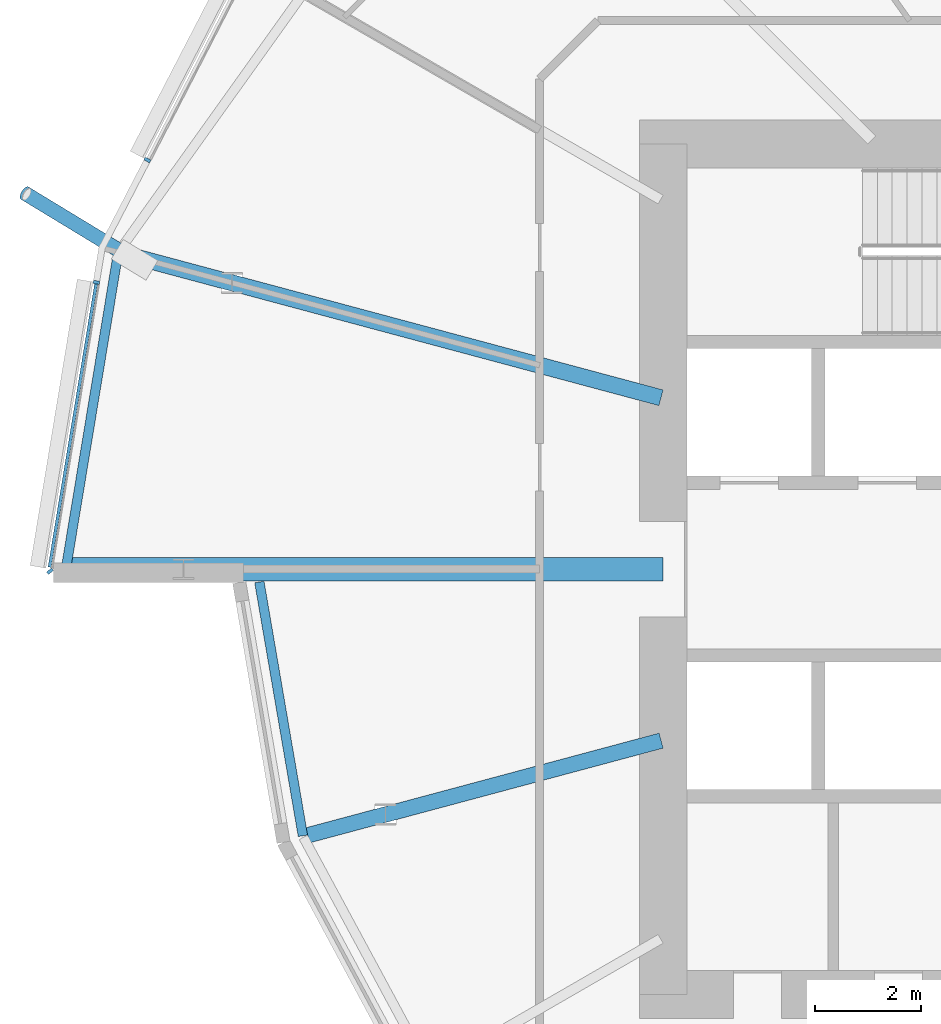
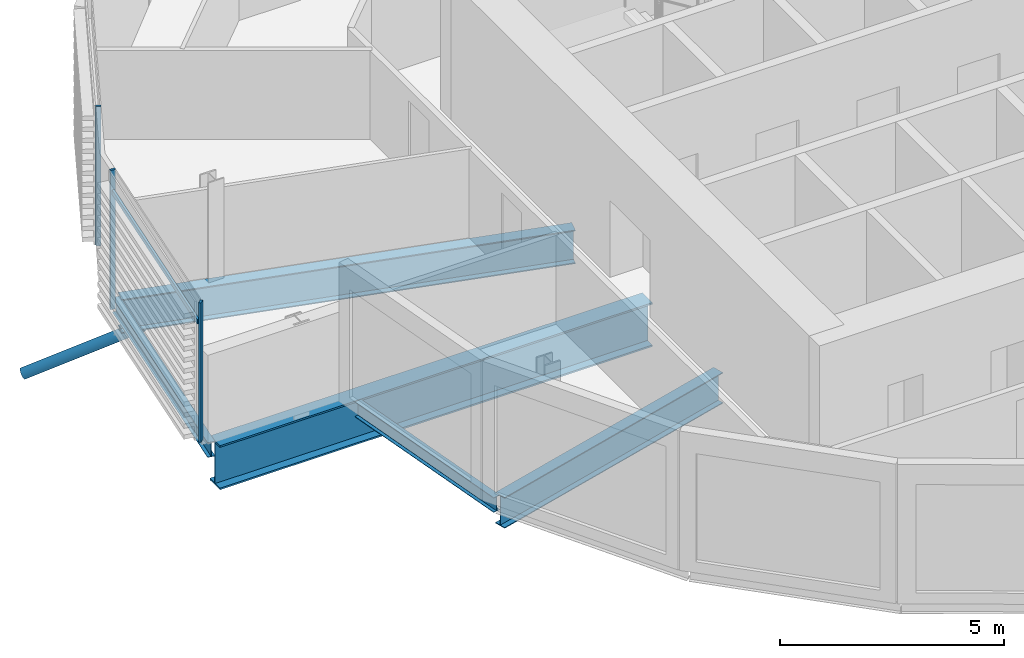
# One storey, part 5 of 38: 5 beams, 5 members, 1 element without a shape of its own.
"""IFC4 building model written with IfcOpenShell, lengths in metres."""

from ifc_helpers import new_model, si_unit, direction, frame, origin, origin_2d, place, context, subcontext, project, spatial, rectangle, hollow_circle, i_section, extrude, clip, halfspace, material, material_profile, profile_set, type_object, element, aggregate, save


model = new_model("IFC4")

# Units and contexts
model_context = context("Model", 3, precision=1e-05, world=origin(), true_north=direction((0.0, 1.0)))
body_context = subcontext(model_context, "Body", "Model", "MODEL_VIEW")
ifc_project = project(units=[si_unit("LENGTHUNIT", "METRE"), si_unit("AREAUNIT", "SQUARE_METRE"), si_unit("VOLUMEUNIT", "CUBIC_METRE"), si_unit("PLANEANGLEUNIT", "RADIAN"), si_unit("MASSUNIT", "GRAM", prefix="KILO")], contexts=[model_context])

# Site, building, storey
site_placement = place(None, origin())
site = spatial("IfcSite", under=ifc_project, at=site_placement, CompositionType="ELEMENT")
building_placement = place(site_placement, origin())
building = spatial("IfcBuilding", under=site, at=building_placement, Name="Rimbun Link Towers", CompositionType="ELEMENT")
storey_placement = place(building_placement, frame((0.0, 0.0, 68.0)))
storey = spatial("IfcBuildingStorey", under=building, at=storey_placement, Name="L16", CompositionType="ELEMENT", Elevation=68.0)

# Curtain wall, members
ifc_material_1 = material(Name="Aluminium 6063-T6 and low-iron glass", Category="aluminium")
curtain_wall_type = type_object("IfcCurtainWallType", Name="CW1 unitised vision wall", PredefinedType="NOTDEFINED", material=ifc_material_1)
curtain_wall_placement = place(storey_placement, origin())
curtain_wall = element("IfcCurtainWall", 1, at=curtain_wall_placement, inside=storey, type_object=curtain_wall_type, Name="CW1 L16 T1", PredefinedType="NOTDEFINED")
ifc_material_2 = material(Name="Aluminium 6063-T6", Category="aluminium")
ifc_material_profile_1 = material_profile(ifc_material_2, rectangle(XDim=0.1201171875, YDim=0.06005859375, at=origin_2d()), Name="MULLION 60X120")
ifc_profile_set_1 = profile_set([ifc_material_profile_1], Name="Aluminium 6063-T6")
member_type_1 = type_object("IfcMemberType", Name="CW1 mullion 60X120", PredefinedType="MULLION", material=ifc_profile_set_1)
member_1_placement = place(storey_placement, frame((-53.455810546875, 7.7001953125, 0.0), z_axis=(0.0, 0.0, 1.0), x_axis=(-0.888148629228, 0.45955632125, 0.0)))
member_1 = element("IfcMember", 2, at=member_1_placement, type_object=member_type_1, Name="CW1 mullion", PredefinedType="MULLION", context=body_context, shape_type="SweptSolid", body=[
    extrude(rectangle(XDim=0.1201171875, YDim=0.06005859375, at=origin_2d()), origin(), (0.0, 0.0, 1.0), 3.800048828125),
])
member_2_placement = place(storey_placement, frame((-55.2900390625, -0.038818359375, 0.0), z_axis=(0.0, 0.0, 1.0), x_axis=(-0.762318713614, -0.647201806915, 0.0)))
member_2 = element("IfcMember", 3, at=member_2_placement, type_object=member_type_1, Name="CW1 mullion", PredefinedType="MULLION", context=body_context, shape_type="SweptSolid", body=[
    extrude(rectangle(XDim=0.1201171875, YDim=0.06005859375, at=origin_2d()), origin(), (0.0, 0.0, 1.0), 3.800048828125),
])
member_3_placement = place(storey_placement, frame((-54.41748046875, 5.39794921875, 0.0), z_axis=(0.0, 0.0, 1.0), x_axis=(-0.986748097792, 0.162259642251, 0.0)))
member_3 = element("IfcMember", 4, at=member_3_placement, type_object=member_type_1, Name="CW1 mullion", PredefinedType="MULLION", context=body_context, shape_type="SweptSolid", body=[
    extrude(rectangle(XDim=0.1201171875, YDim=0.06005859375, at=origin_2d()), origin(), (0.0, 0.0, 1.0), 3.800048828125),
])
ifc_material_3 = material(Name="Aluminium 6063-T6", Category="aluminium")
ifc_material_profile_2 = material_profile(ifc_material_3, rectangle(XDim=0.06005859375, YDim=0.1201171875, at=origin_2d()), Name="TRANSOM 60X120")
ifc_profile_set_2 = profile_set([ifc_material_profile_2], Name="Aluminium 6063-T6")
member_type_2 = type_object("IfcMemberType", Name="CW1 transom 60X120", PredefinedType="USERDEFINED", material=ifc_profile_set_2)
member_4_placement = place(storey_placement, frame((-55.296630859375, 0.0390625, 3.199951171875), z_axis=(0.162250618428, 0.986749581616, 0.0), x_axis=(-0.986749581616, 0.162250618428, 0.0)))
member_4 = element("IfcMember", 5, at=member_4_placement, type_object=member_type_2, Name="CW1 transom", ObjectType="TRANSOM", PredefinedType="USERDEFINED", context=body_context, shape_type="SweptSolid", body=[
    extrude(rectangle(XDim=0.06005859375, YDim=0.1201171875, at=origin_2d()), origin(), (0.0, 0.0, 1.0), 5.400390625),
])
aggregate(curtain_wall, [member_1, member_2, member_3, member_4])

# Member
ifc_material_4 = material(Name="Steel S355J2H", Category="steel")
ifc_material_profile_3 = material_profile(ifc_material_4, hollow_circle(Radius=0.136474609375, WallThickness=0.012451171875, at=origin_2d()), Name="CHS 273x12.5")
ifc_profile_set_3 = profile_set([ifc_material_profile_3], Name="Steel S355J2H")
member_type_3 = type_object("IfcMemberType", Name="Floor edge link CHS 273x12.5", PredefinedType="BRACE", material=ifc_profile_set_3)
member_5_placement = place(storey_placement, frame((-53.8701171875, 5.927001953125, -1.199951171875), z_axis=(-0.763375162323, 0.463590145589, -0.44982500871), x_axis=(-0.519070060248, -0.854731696238, 0.0)))
element("IfcMember", 6, at=member_5_placement, inside=storey, type_object=member_type_3, Name="Floor edge link T1 L16 11", PredefinedType="BRACE", context=body_context, shape_type="Clipping", body=[
    clip(extrude(hollow_circle(Radius=0.136474609375, WallThickness=0.012451171875, at=origin_2d()), frame((0.0, 0.0, -0.564453125)), (0.0, 0.0, 1.0), 3.04736328125), halfspace(frame((0.0, 0.0, -0.265869140625), z_axis=(0.0, 0.89311671216, -0.44982500871)), False)),
])

# Beams
ifc_material_5 = material(Name="Steel S355J2", Category="steel")
ifc_material_profile_4 = material_profile(ifc_material_5, i_section(OverallWidth=0.449951171875, OverallDepth=1.199951171875, WebThickness=0.030029296875, FlangeThickness=0.044921875, at=origin_2d()), Name="PG 1200x450x30/45")
ifc_profile_set_4 = profile_set([ifc_material_profile_4], Name="Steel S355J2")
beam_type_1 = type_object("IfcBeamType", Name="PG 1200x450x30/45", PredefinedType="BEAM", material=ifc_profile_set_4)
beam_1_placement = place(storey_placement, frame((-43.7509765625, 0.0, -0.760009765625), z_axis=(-1.0, 0.0, 0.0), x_axis=(0.0, -1.0, 0.0)))
element("IfcBeam", 7, at=beam_1_placement, inside=storey, type_object=beam_type_1, Name="Radial beam T1 L16 12", PredefinedType="BEAM", context=body_context, shape_type="SweptSolid", body=[
    extrude(i_section(OverallWidth=0.449951171875, OverallDepth=1.199951171875, WebThickness=0.030029296875, FlangeThickness=0.044921875, at=origin_2d()), origin(), (0.0, 0.0, 1.0), 11.14892578125),
])
ifc_material_6 = material(Name="Steel S355J2", Category="steel")
ifc_material_profile_5 = material_profile(ifc_material_6, i_section(OverallWidth=0.177978515625, OverallDepth=0.406494140625, WebThickness=0.0078125, FlangeThickness=0.0126953125, at=origin_2d()), Name="UB 406x178x60")
ifc_profile_set_5 = profile_set([ifc_material_profile_5], Name="Steel S355J2")
beam_type_2 = type_object("IfcBeamType", Name="UB 406x178x60", PredefinedType="BEAM", material=ifc_profile_set_5)
beam_2_placement = place(storey_placement, frame((-54.005615234375, 5.96240234375, -0.36328125), z_axis=(-0.163035965688, -0.986620126438, 0.0), x_axis=(0.986620126438, -0.163035965688, 0.0)))
element("IfcBeam", 8, at=beam_2_placement, inside=storey, type_object=beam_type_2, Name="Edge beam T1 L16 11", PredefinedType="BEAM", context=body_context, shape_type="SweptSolid", body=[
    extrude(i_section(OverallWidth=0.177978515625, OverallDepth=0.406494140625, WebThickness=0.0078125, FlangeThickness=0.0126953125, at=origin_2d()), origin(), (0.0, 0.0, 1.0), 6.042236328125),
])
beam_3_placement = place(storey_placement, frame((-51.349365234375, -0.240966796875, -0.36328125), z_axis=(0.169112068925, -0.985596828396, 0.0), x_axis=(0.985596828396, 0.169112068925, 0.0)))
element("IfcBeam", 9, at=beam_3_placement, inside=storey, type_object=beam_type_2, Name="Edge beam T1 L16 12 recess", PredefinedType="BEAM", context=body_context, shape_type="SweptSolid", body=[
    extrude(i_section(OverallWidth=0.177978515625, OverallDepth=0.406494140625, WebThickness=0.0078125, FlangeThickness=0.0126953125, at=origin_2d()), origin(), (0.0, 0.0, 1.0), 4.844970703125),
])
ifc_material_7 = material(Name="Steel S355J2", Category="steel")
ifc_material_profile_6 = material_profile(ifc_material_7, i_section(OverallWidth=0.29248046875, OverallDepth=0.8408203125, WebThickness=0.0126953125, FlangeThickness=0.021728515625, at=origin_2d()), Name="UB 838x292x194")
ifc_profile_set_6 = profile_set([ifc_material_profile_6], Name="Steel S355J2")
beam_type_3 = type_object("IfcBeamType", Name="UB 838x292x194", PredefinedType="BEAM", material=ifc_profile_set_6)
beam_4_placement = place(storey_placement, frame((-43.788818359375, -3.225830078125, -0.580322265625), z_axis=(-0.965925895413, -0.258818787128, 0.0), x_axis=(0.258818787128, -0.965925895413, 0.0)))
element("IfcBeam", 10, at=beam_4_placement, inside=storey, type_object=beam_type_3, Name="Radial beam T1 L16 13", PredefinedType="BEAM", context=body_context, shape_type="SweptSolid", body=[
    extrude(i_section(OverallWidth=0.29248046875, OverallDepth=0.8408203125, WebThickness=0.0126953125, FlangeThickness=0.021728515625, at=origin_2d()), origin(), (0.0, 0.0, 1.0), 6.885986328125),
])
ifc_material_8 = material(Name="Steel S355J2", Category="steel")
ifc_material_profile_7 = material_profile(ifc_material_8, i_section(OverallWidth=0.305419921875, OverallDepth=0.91845703125, WebThickness=0.017333984375, FlangeThickness=0.02783203125, at=origin_2d()), Name="UB 914x305x253")
ifc_profile_set_7 = profile_set([ifc_material_profile_7], Name="Steel S355J2")
beam_type_4 = type_object("IfcBeamType", Name="UB 914x305x253", PredefinedType="BEAM", material=ifc_profile_set_7)
beam_5_placement = place(storey_placement, frame((-43.79052734375, 3.226318359375, -0.619140625), z_axis=(-0.965927784229, 0.258811737861, 0.0), x_axis=(-0.258811737861, -0.965927784229, 0.0)))
element("IfcBeam", 11, at=beam_5_placement, inside=storey, type_object=beam_type_4, Name="Radial beam T1 L16 11", PredefinedType="BEAM", context=body_context, shape_type="SweptSolid", body=[
    extrude(i_section(OverallWidth=0.305419921875, OverallDepth=0.91845703125, WebThickness=0.017333984375, FlangeThickness=0.02783203125, at=origin_2d()), origin(), (0.0, 0.0, 1.0), 10.48486328125),
])

save(model, "model.ifc")
